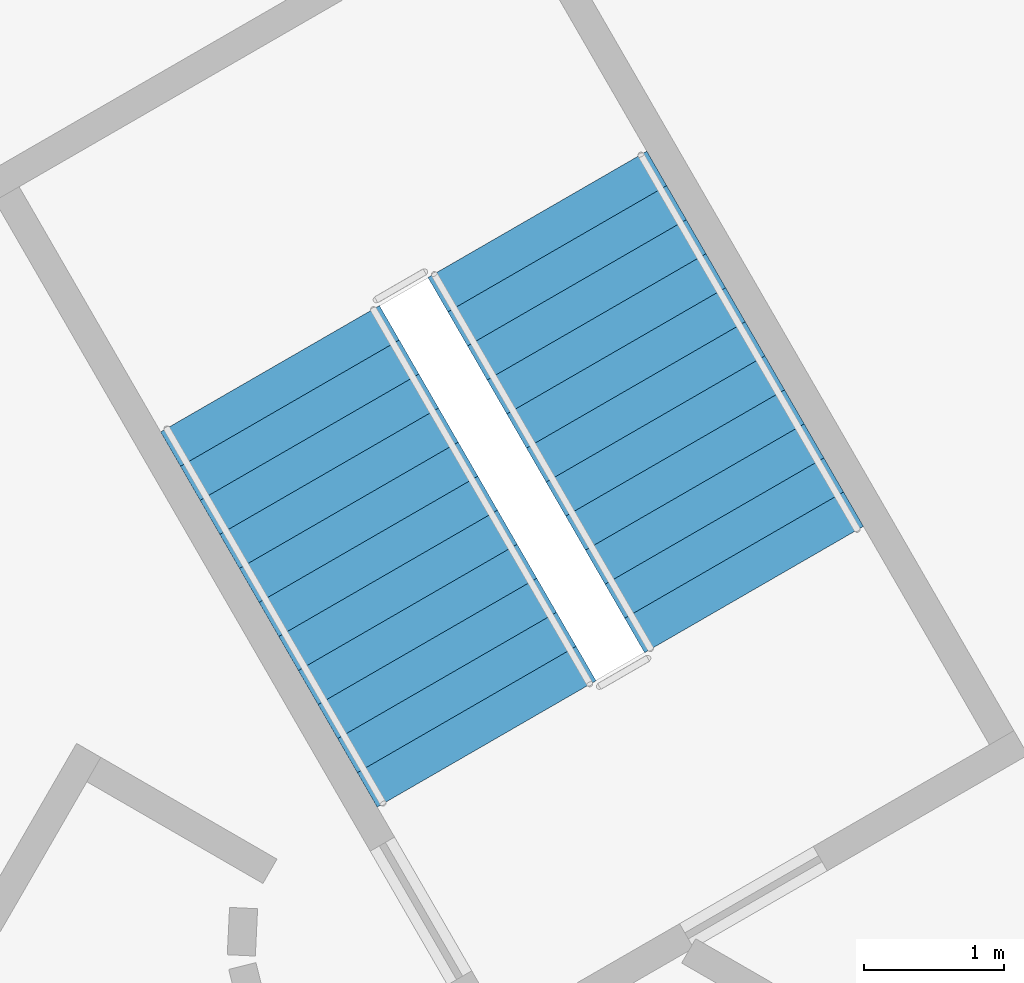
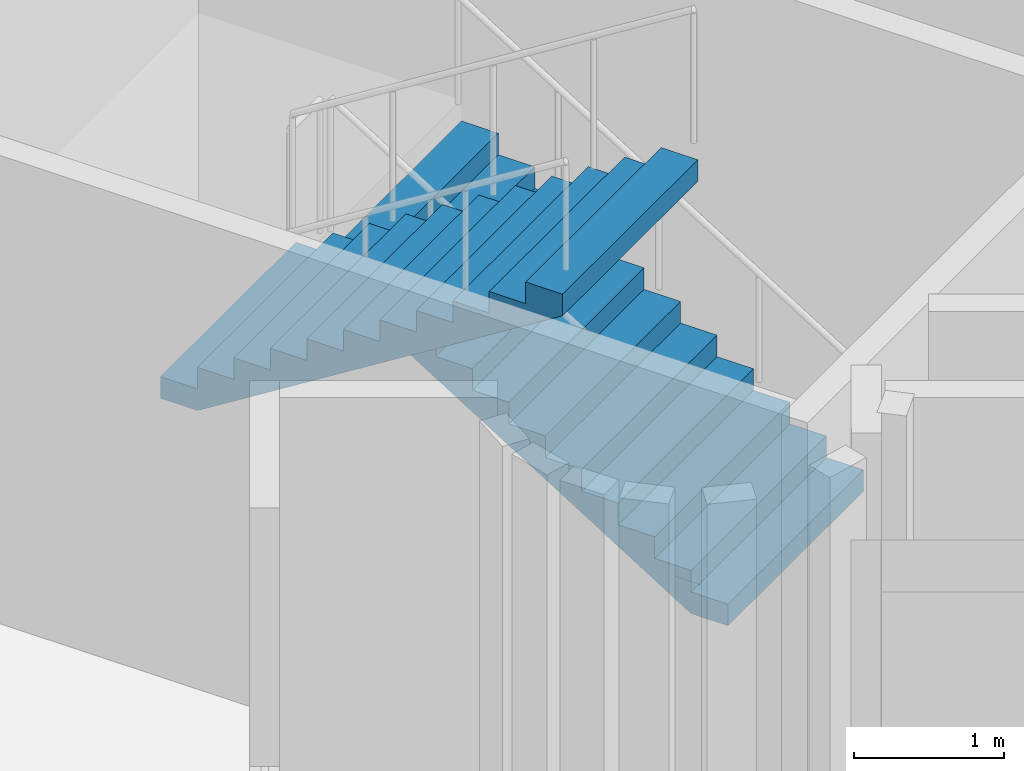
# One storey, part 13 of 16: 2 stair flights, 1 element without a shape of its own.
"""IFC4 building model written with IfcOpenShell, lengths in metres."""

from ifc_helpers import new_model, si_unit, direction, frame, origin, place, context, subcontext, project, spatial, polyline, outline, extrude, material, type_object, element, aggregate, save


model = new_model("IFC4")

# Units and contexts
model_context = context("Model", 3, precision=1e-05, world=origin(), true_north=direction((0.0, 1.0)))
body_context = subcontext(model_context, "Body", "Model", "MODEL_VIEW")
ifc_project = project(units=[si_unit("LENGTHUNIT", "METRE"), si_unit("AREAUNIT", "SQUARE_METRE"), si_unit("VOLUMEUNIT", "CUBIC_METRE"), si_unit("PLANEANGLEUNIT", "RADIAN"), si_unit("MASSUNIT", "GRAM", prefix="KILO")], contexts=[model_context])

# Site, building, storey
site_placement = place(None, origin())
site = spatial("IfcSite", under=ifc_project, at=site_placement, CompositionType="ELEMENT")
building_placement = place(site_placement, origin())
building = spatial("IfcBuilding", under=site, at=building_placement, Name="Entoto Arch Interchange Tower", CompositionType="ELEMENT")
storey_placement = place(building_placement, frame((0.0, 0.0, 43.39990234375)))
storey = spatial("IfcBuildingStorey", under=building, at=storey_placement, Name="L08", CompositionType="ELEMENT", Elevation=43.39990234375)

# Stair, stair flights
ifc_material = material(Name="Concrete C40/50", Category="concrete")
stair_type = type_object("IfcStairType", Name="EXIT STAIR RC 1800", PredefinedType="HALF_TURN_STAIR", material=ifc_material)
stair_placement = place(storey_placement, origin())
stair = element("IfcStair", 1, at=stair_placement, inside=storey, type_object=stair_type, Name="L08 Exit stair NE", PredefinedType="HALF_TURN_STAIR")
stair_flight_type = type_object("IfcStairFlightType", Name="EXIT STAIR FLIGHT RC 1800", PredefinedType="STRAIGHT", material=ifc_material)
stair_flight_1_placement = place(storey_placement, frame((6.7138671875, 4.470947265625, 0.0), z_axis=(0.0, 0.0, 1.0), x_axis=(-0.5, 0.866025403784, 0.0)))
stair_flight_1 = element("IfcStairFlight", 2, at=stair_flight_1_placement, type_object=stair_flight_type, Name="ST-NE flight 1", NumberOfRisers=12, NumberOfTreads=11, PredefinedType="STRAIGHT", RiserHeight=0.175, TreadLength=0.28, context=body_context, shape_type="SweptSolid", body=[
    extrude(outline(polyline([(-0.0029296875, 0.0), (-0.0029296875, 0.175048828125), (0.280029296875, 0.175048828125), (0.280029296875, 0.35009765625), (0.56005859375, 0.35009765625), (0.56005859375, 0.52490234375), (0.840087890625, 0.52490234375), (0.840087890625, 0.699951171875), (1.1201171875, 0.699951171875), (1.1201171875, 0.875), (1.39990234375, 0.875), (1.39990234375, 1.050048828125), (1.679931640625, 1.050048828125), (1.679931640625, 1.22509765625), (1.9599609375, 1.22509765625), (1.9599609375, 1.39990234375), (2.239990234375, 1.39990234375), (2.239990234375, 1.574951171875), (2.52001953125, 1.574951171875), (2.52001953125, 1.75), (2.800048828125, 1.75), (2.800048828125, 1.925048828125), (3.080078125, 1.925048828125), (3.0830078125, 1.925048828125), (3.0830078125, 1.75), (0.28271484375, 0.0), (-0.0029296875, 0.0)])), frame((0.0, 0.89990234375, 0.0), z_axis=(0.0, -1.0, 0.0), x_axis=(1.0, 0.0, 0.0)), (0.0, 0.0, 1.0), 1.800048828125),
])
stair_flight_2_placement = place(storey_placement, frame((3.268798828125, 6.038330078125, 2.10009765625), z_axis=(0.0, 0.0, 1.0), x_axis=(0.5, -0.866025403784, 0.0)))
stair_flight_2 = element("IfcStairFlight", 3, at=stair_flight_2_placement, type_object=stair_flight_type, Name="ST-NE flight 2", NumberOfRisers=12, NumberOfTreads=11, PredefinedType="STRAIGHT", RiserHeight=0.175, TreadLength=0.28, context=body_context, shape_type="SweptSolid", body=[
    extrude(outline(polyline([(-0.0029296875, 0.0), (-0.0029296875, 0.175048828125), (0.280029296875, 0.175048828125), (0.280029296875, 0.35009765625), (0.56005859375, 0.35009765625), (0.56005859375, 0.52490234375), (0.840087890625, 0.52490234375), (0.840087890625, 0.699951171875), (1.1201171875, 0.699951171875), (1.1201171875, 0.875), (1.39990234375, 0.875), (1.39990234375, 1.050048828125), (1.679931640625, 1.050048828125), (1.679931640625, 1.22509765625), (1.9599609375, 1.22509765625), (1.9599609375, 1.39990234375), (2.239990234375, 1.39990234375), (2.239990234375, 1.574951171875), (2.52001953125, 1.574951171875), (2.52001953125, 1.75), (2.800048828125, 1.75), (2.800048828125, 1.925048828125), (3.080078125, 1.925048828125), (3.0830078125, 1.925048828125), (3.0830078125, 1.75), (0.28271484375, 0.0), (-0.0029296875, 0.0)])), frame((0.0, 0.89990234375, 0.0), z_axis=(0.0, -1.0, 0.0), x_axis=(1.0, 0.0, 0.0)), (0.0, 0.0, 1.0), 1.800048828125),
])
aggregate(stair, [stair_flight_1, stair_flight_2])

save(model, "model.ifc")
